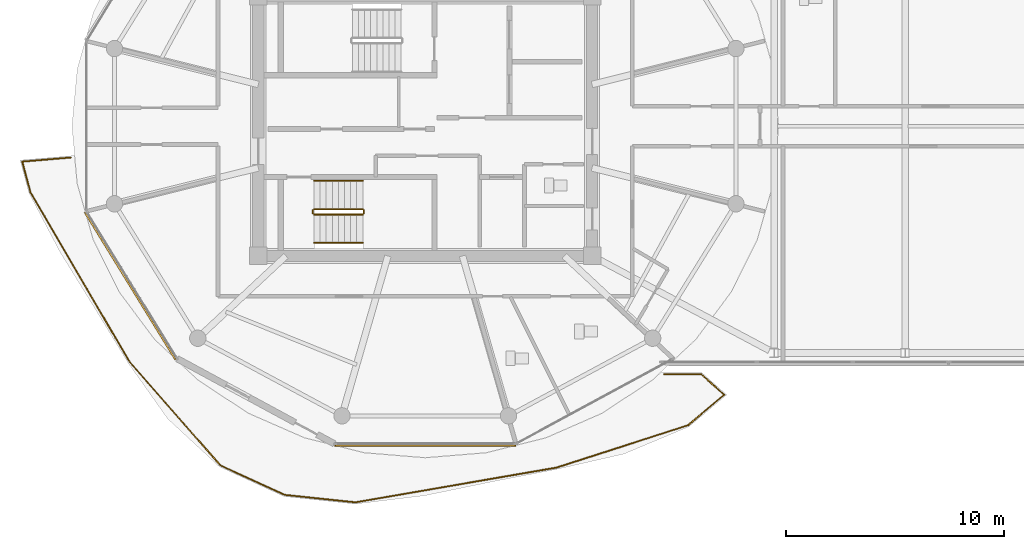
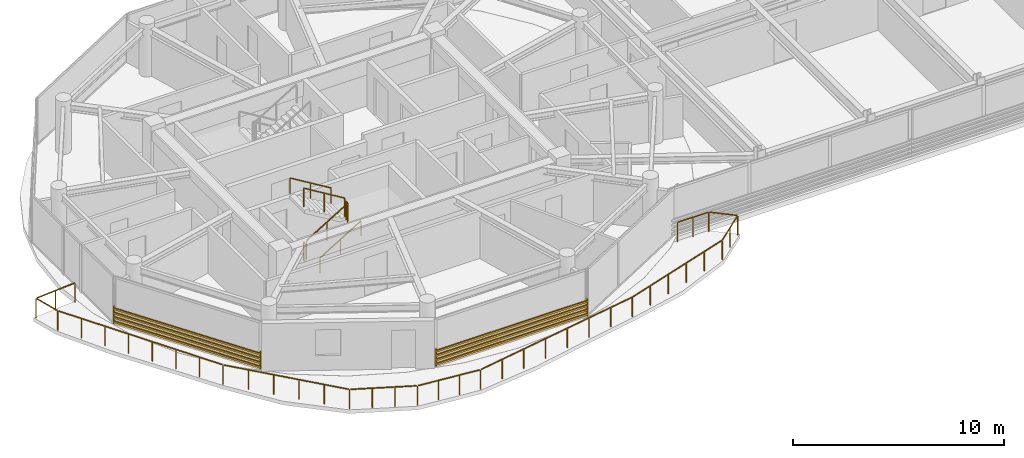
# One storey, part 20 of 24: 8 railings, 2 shading devices.
"""IFC4 building model written with IfcOpenShell, lengths in metres."""

from ifc_helpers import new_model, si_unit, direction, frame, origin, origin_2d, place, context, subcontext, project, spatial, rectangle, extrude, source, transform, mapped, material, type_object, type_shapes, element, save


model = new_model("IFC4")

# Units and contexts
model_context = context("Model", 3, precision=1e-05, world=origin(), true_north=direction((0.0, 1.0)))
body_context = subcontext(model_context, "Body", "Model", "MODEL_VIEW")
ifc_project = project(units=[si_unit("LENGTHUNIT", "METRE"), si_unit("AREAUNIT", "SQUARE_METRE"), si_unit("VOLUMEUNIT", "CUBIC_METRE"), si_unit("PLANEANGLEUNIT", "RADIAN"), si_unit("MASSUNIT", "GRAM", prefix="KILO")], contexts=[model_context])

# Site, building, storey
site_placement = place(None, origin())
site = spatial("IfcSite", under=ifc_project, at=site_placement, CompositionType="ELEMENT")
building_placement = place(site_placement, origin())
building = spatial("IfcBuilding", under=site, at=building_placement, Name="Norrkilde Senior Care Towers", CompositionType="ELEMENT")
storey_placement = place(building_placement, frame((0.0, 0.0, 226.10009765625)))
storey = spatial("IfcBuildingStorey", under=building, at=storey_placement, Name="L70", CompositionType="ELEMENT", Elevation=226.10009765625)

# Railings
ifc_material_1 = material(Name="Anodised Aluminium", Category="aluminium")
railing_type_1 = type_object("IfcRailingType", Name="Balcony Swirl Ribbon Guardrail 1150", PredefinedType="GUARDRAIL", material=ifc_material_1)
railing_1_placement = place(storey_placement, frame((-21.98095703125, -15.654296875, 0.0)))
element("IfcRailing", 1, at=railing_1_placement, inside=storey, type_object=railing_type_1, Name="L70 Perimeter Safety Guard 03", PredefinedType="GUARDRAIL", context=body_context, shape_type="SweptSolid", body=[
    extrude(rectangle(XDim=0.048095703125, YDim=0.048095703125, at=origin_2d()), frame((0.0, 0.0, 1.1259765625), z_axis=(-0.98542198724, -0.170127913831, 0.0), x_axis=(0.170127913831, -0.98542198724, 0.0)), (0.0, 0.0, 1.0), 9.318359375),
    extrude(rectangle(XDim=0.048095703125, YDim=0.048095703125, at=origin_2d()), frame((-9.263671875, -1.587890625, 1.1259765625), z_axis=(-0.994489003728, 0.104840934108, 0.0), x_axis=(-0.104840934108, -0.994489003728, 0.0)), (0.0, 0.0, 1.0), 3.173828125),
    extrude(rectangle(XDim=0.048095703125, YDim=0.048095703125, at=origin_2d()), frame((-12.49755859375, -1.23388671875, 1.1259765625), z_axis=(-0.909001793252, 0.41679220226, 0.0), x_axis=(-0.41679220226, -0.909001793252, 0.0)), (0.0, 0.0, 1.0), 3.15869140625),
    extrude(rectangle(XDim=0.048095703125, YDim=0.048095703125, at=origin_2d()), frame((-15.43310546875, 0.13037109375, 1.1259765625), z_axis=(-0.660098743459, 0.751178839481, 0.0), x_axis=(-0.751178839481, -0.660098743459, 0.0)), (0.0, 0.0, 1.0), 6.2333984375),
    extrude(rectangle(XDim=0.048095703125, YDim=0.048095703125, at=origin_2d()), frame((-19.59521484375, 4.87890625, 1.1259765625), z_axis=(-0.504169108156, 0.863604950415, 0.0), x_axis=(-0.863604950415, -0.504169108156, 0.0)), (0.0, 0.0, 1.0), 8.930908203125),
    extrude(rectangle(XDim=0.048095703125, YDim=0.048095703125, at=origin_2d()), frame((-24.129150390625, 12.66650390625, 1.1259765625), z_axis=(-0.259575788594, 0.965722739701, 0.0), x_axis=(-0.965722739701, -0.259575788594, 0.0)), (0.0, 0.0, 1.0), 1.371337890625),
    extrude(rectangle(XDim=0.048095703125, YDim=0.048095703125, at=origin_2d()), frame((-24.455078125, 14.03369140625, 1.1259765625), z_axis=(0.996529185182, 0.083244117396, 0.0), x_axis=(-0.083244117396, 0.996529185182, 0.0)), (0.0, 0.0, 1.0), 2.19677734375),
    extrude(rectangle(XDim=0.0419921875, YDim=0.0419921875, at=origin_2d()), origin(), (0.0, 0.0, 1.0), 1.099853515625),
    extrude(rectangle(XDim=0.0419921875, YDim=0.0419921875, at=origin_2d()), frame((-1.317626953125, -0.2275390625, 0.0)), (0.0, 0.0, 1.0), 1.099853515625),
    extrude(rectangle(XDim=0.0419921875, YDim=0.0419921875, at=origin_2d()), frame((-2.635009765625, -0.454833984375, 0.0)), (0.0, 0.0, 1.0), 1.099853515625),
    extrude(rectangle(XDim=0.0419921875, YDim=0.0419921875, at=origin_2d()), frame((-3.95263671875, -0.682373046875, 0.0)), (0.0, 0.0, 1.0), 1.099853515625),
    extrude(rectangle(XDim=0.0419921875, YDim=0.0419921875, at=origin_2d()), frame((-5.270263671875, -0.909912109375, 0.0)), (0.0, 0.0, 1.0), 1.099853515625),
    extrude(rectangle(XDim=0.0419921875, YDim=0.0419921875, at=origin_2d()), frame((-6.587890625, -1.137451171875, 0.0)), (0.0, 0.0, 1.0), 1.099853515625),
    extrude(rectangle(XDim=0.0419921875, YDim=0.0419921875, at=origin_2d()), frame((-7.9052734375, -1.36474609375, 0.0)), (0.0, 0.0, 1.0), 1.099853515625),
    extrude(rectangle(XDim=0.0419921875, YDim=0.0419921875, at=origin_2d()), frame((-9.222900390625, -1.59228515625, 0.0)), (0.0, 0.0, 1.0), 1.099853515625),
    extrude(rectangle(XDim=0.0419921875, YDim=0.0419921875, at=origin_2d()), frame((-10.302001953125, -1.478515625, 0.0)), (0.0, 0.0, 1.0), 1.099853515625),
    extrude(rectangle(XDim=0.0419921875, YDim=0.0419921875, at=origin_2d()), frame((-11.38134765625, -1.36474609375, 0.0)), (0.0, 0.0, 1.0), 1.099853515625),
    extrude(rectangle(XDim=0.0419921875, YDim=0.0419921875, at=origin_2d()), frame((-12.46044921875, -1.2509765625, 0.0)), (0.0, 0.0, 1.0), 1.099853515625),
    extrude(rectangle(XDim=0.0419921875, YDim=0.0419921875, at=origin_2d()), frame((-13.4423828125, -0.80078125, 0.0)), (0.0, 0.0, 1.0), 1.099853515625),
    extrude(rectangle(XDim=0.0419921875, YDim=0.0419921875, at=origin_2d()), frame((-14.424072265625, -0.3505859375, 0.0)), (0.0, 0.0, 1.0), 1.099853515625),
    extrude(rectangle(XDim=0.0419921875, YDim=0.0419921875, at=origin_2d()), frame((-15.406005859375, 0.099609375, 0.0)), (0.0, 0.0, 1.0), 1.099853515625),
    extrude(rectangle(XDim=0.0419921875, YDim=0.0419921875, at=origin_2d()), frame((-16.23974609375, 1.04833984375, 0.0)), (0.0, 0.0, 1.0), 1.099853515625),
    extrude(rectangle(XDim=0.0419921875, YDim=0.0419921875, at=origin_2d()), frame((-17.073486328125, 1.9970703125, 0.0)), (0.0, 0.0, 1.0), 1.099853515625),
    extrude(rectangle(XDim=0.0419921875, YDim=0.0419921875, at=origin_2d()), frame((-17.9072265625, 2.946044921875, 0.0)), (0.0, 0.0, 1.0), 1.099853515625),
    extrude(rectangle(XDim=0.0419921875, YDim=0.0419921875, at=origin_2d()), frame((-18.740966796875, 3.894775390625, 0.0)), (0.0, 0.0, 1.0), 1.099853515625),
    extrude(rectangle(XDim=0.0419921875, YDim=0.0419921875, at=origin_2d()), frame((-19.57470703125, 4.843505859375, 0.0)), (0.0, 0.0, 1.0), 1.099853515625),
    extrude(rectangle(XDim=0.0419921875, YDim=0.0419921875, at=origin_2d()), frame((-20.223876953125, 5.955322265625, 0.0)), (0.0, 0.0, 1.0), 1.099853515625),
    extrude(rectangle(XDim=0.0419921875, YDim=0.0419921875, at=origin_2d()), frame((-20.873046875, 7.0673828125, 0.0)), (0.0, 0.0, 1.0), 1.099853515625),
    extrude(rectangle(XDim=0.0419921875, YDim=0.0419921875, at=origin_2d()), frame((-21.522216796875, 8.17919921875, 0.0)), (0.0, 0.0, 1.0), 1.099853515625),
    extrude(rectangle(XDim=0.0419921875, YDim=0.0419921875, at=origin_2d()), frame((-22.171142578125, 9.291259765625, 0.0)), (0.0, 0.0, 1.0), 1.099853515625),
    extrude(rectangle(XDim=0.0419921875, YDim=0.0419921875, at=origin_2d()), frame((-22.8203125, 10.403076171875, 0.0)), (0.0, 0.0, 1.0), 1.099853515625),
    extrude(rectangle(XDim=0.0419921875, YDim=0.0419921875, at=origin_2d()), frame((-23.469482421875, 11.51513671875, 0.0)), (0.0, 0.0, 1.0), 1.099853515625),
    extrude(rectangle(XDim=0.0419921875, YDim=0.0419921875, at=origin_2d()), frame((-24.11865234375, 12.626953125, 0.0)), (0.0, 0.0, 1.0), 1.099853515625),
    extrude(rectangle(XDim=0.0419921875, YDim=0.0419921875, at=origin_2d()), frame((-24.495849609375, 14.0302734375, 0.0)), (0.0, 0.0, 1.0), 1.099853515625),
    extrude(rectangle(XDim=0.0419921875, YDim=0.0419921875, at=origin_2d()), frame((-23.380859375, 14.12353515625, 0.0)), (0.0, 0.0, 1.0), 1.099853515625),
    extrude(rectangle(XDim=0.0419921875, YDim=0.0419921875, at=origin_2d()), frame((-22.265869140625, 14.216552734375, 0.0)), (0.0, 0.0, 1.0), 1.099853515625),
])
railing_2_placement = place(storey_placement, frame((-17.04248046875, -11.3798828125, 0.0)))
element("IfcRailing", 2, at=railing_2_placement, inside=storey, type_object=railing_type_1, Name="L70 Perimeter Safety Guard 04", PredefinedType="GUARDRAIL", context=body_context, shape_type="SweptSolid", body=[
    extrude(rectangle(XDim=0.048095703125, YDim=0.048095703125, at=origin_2d()), frame((0.0, 0.0, 1.1259765625), z_axis=(1.0, 0.0, 0.0), x_axis=(0.0, 1.0, 0.0)), (0.0, 0.0, 1.0), 1.66064453125),
    extrude(rectangle(XDim=0.048095703125, YDim=0.048095703125, at=origin_2d()), frame((1.73193359375, -0.027099609375, 1.1259765625), z_axis=(0.746794896326, -0.665054420948, 0.0), x_axis=(0.665054420948, 0.746794896326, 0.0)), (0.0, 0.0, 1.0), 1.322021484375),
    extrude(rectangle(XDim=0.048095703125, YDim=0.048095703125, at=origin_2d()), frame((2.718505859375, -0.9599609375, 1.1259765625), z_axis=(-0.763963229857, -0.645259779799, 0.0), x_axis=(0.645259779799, -0.763963229857, 0.0)), (0.0, 0.0, 1.0), 2.083984375),
    extrude(rectangle(XDim=0.048095703125, YDim=0.048095703125, at=origin_2d()), frame((1.056396484375, -2.343505859375, 1.1259765625), z_axis=(-0.951846462281, -0.306575133113, 0.0), x_axis=(0.306575133113, -0.951846462281, 0.0)), (0.0, 0.0, 1.0), 6.298095703125),
    extrude(rectangle(XDim=0.0419921875, YDim=0.0419921875, at=origin_2d()), origin(), (0.0, 0.0, 1.0), 1.099853515625),
    extrude(rectangle(XDim=0.0419921875, YDim=0.0419921875, at=origin_2d()), frame((0.8505859375, 0.0, 0.0)), (0.0, 0.0, 1.0), 1.099853515625),
    extrude(rectangle(XDim=0.0419921875, YDim=0.0419921875, at=origin_2d()), frame((1.701416015625, 0.0, 0.0)), (0.0, 0.0, 1.0), 1.099853515625),
    extrude(rectangle(XDim=0.0419921875, YDim=0.0419921875, at=origin_2d()), frame((2.749755859375, -0.93359375, 0.0)), (0.0, 0.0, 1.0), 1.099853515625),
    extrude(rectangle(XDim=0.0419921875, YDim=0.0419921875, at=origin_2d()), frame((1.92236328125, -1.63232421875, 0.0)), (0.0, 0.0, 1.0), 1.099853515625),
    extrude(rectangle(XDim=0.0419921875, YDim=0.0419921875, at=origin_2d()), frame((1.09521484375, -2.3310546875, 0.0)), (0.0, 0.0, 1.0), 1.099853515625),
    extrude(rectangle(XDim=0.0419921875, YDim=0.0419921875, at=origin_2d()), frame((-0.111572265625, -2.7197265625, 0.0)), (0.0, 0.0, 1.0), 1.099853515625),
    extrude(rectangle(XDim=0.0419921875, YDim=0.0419921875, at=origin_2d()), frame((-1.318359375, -3.1083984375, 0.0)), (0.0, 0.0, 1.0), 1.099853515625),
    extrude(rectangle(XDim=0.0419921875, YDim=0.0419921875, at=origin_2d()), frame((-2.52490234375, -3.4970703125, 0.0)), (0.0, 0.0, 1.0), 1.099853515625),
    extrude(rectangle(XDim=0.0419921875, YDim=0.0419921875, at=origin_2d()), frame((-3.731689453125, -3.8857421875, 0.0)), (0.0, 0.0, 1.0), 1.099853515625),
    extrude(rectangle(XDim=0.0419921875, YDim=0.0419921875, at=origin_2d()), frame((-4.9384765625, -4.2744140625, 0.0)), (0.0, 0.0, 1.0), 1.099853515625),
])
ifc_material_2 = material(Name="Stainless Steel", Category="steel")
railing_type_2 = type_object("IfcRailingType", Name="Stair and Terrace Guardrail 1100", PredefinedType="GUARDRAIL", material=ifc_material_2)
railing_3_placement = place(storey_placement, frame((-33.10009765625, -4.050048828125, 0.16943359375)))
element("IfcRailing", 3, at=railing_3_placement, inside=storey, type_object=railing_type_2, Name="L70 ST-W2 stair guard 1", PredefinedType="GUARDRAIL", context=body_context, shape_type="SweptSolid", body=[
    extrude(rectangle(XDim=0.048095703125, YDim=0.048095703125, at=origin_2d()), frame((0.0, 0.0, 1.076171875), z_axis=(0.855553338991, 0.0, 0.51771467445), x_axis=(0.0, 1.0, 0.0)), (0.0, 0.0, 1.0), 2.6181640625),
    extrude(rectangle(XDim=0.0419921875, YDim=0.0419921875, at=origin_2d()), origin(), (0.0, 0.0, 1.0), 1.050048828125),
    extrude(rectangle(XDim=0.0419921875, YDim=0.0419921875, at=origin_2d()), frame((1.1201171875, 0.0, 0.677734375)), (0.0, 0.0, 1.0), 1.050048828125),
    extrude(rectangle(XDim=0.0419921875, YDim=0.0419921875, at=origin_2d()), frame((2.239990234375, 0.0, 1.35546875)), (0.0, 0.0, 1.0), 1.050048828125),
])
railing_4_placement = place(storey_placement, frame((-30.81005859375, -4.0, 1.52490234375)))
element("IfcRailing", 4, at=railing_4_placement, inside=storey, type_object=railing_type_2, Name="L70 ST-W2 stair guard 2", PredefinedType="GUARDRAIL", context=body_context, shape_type="SweptSolid", body=[
    extrude(rectangle(XDim=0.048095703125, YDim=0.048095703125, at=origin_2d()), frame((0.0, 0.0, 1.076171875), z_axis=(0.0, 1.0, 0.0), x_axis=(-1.0, 0.0, 0.0)), (0.0, 0.0, 1.0), 0.14990234375),
    extrude(rectangle(XDim=0.0419921875, YDim=0.0419921875, at=origin_2d()), origin(), (0.0, 0.0, 1.0), 1.050048828125),
    extrude(rectangle(XDim=0.0419921875, YDim=0.0419921875, at=origin_2d()), frame((0.0, 0.14990234375, 0.0)), (0.0, 0.0, 1.0), 1.050048828125),
])
railing_5_placement = place(storey_placement, frame((-30.860107421875, -3.800048828125, 1.6943359375)))
element("IfcRailing", 5, at=railing_5_placement, inside=storey, type_object=railing_type_2, Name="L70 ST-W2 stair guard 3", PredefinedType="GUARDRAIL", context=body_context, shape_type="SweptSolid", body=[
    extrude(rectangle(XDim=0.048095703125, YDim=0.048095703125, at=origin_2d()), frame((0.0, 0.0, 1.076171875), z_axis=(-0.855553338991, 0.0, 0.51771467445), x_axis=(0.0, -1.0, 0.0)), (0.0, 0.0, 1.0), 2.6181640625),
    extrude(rectangle(XDim=0.0419921875, YDim=0.0419921875, at=origin_2d()), origin(), (0.0, 0.0, 1.0), 1.050048828125),
    extrude(rectangle(XDim=0.0419921875, YDim=0.0419921875, at=origin_2d()), frame((-1.1201171875, 0.0, 0.677734375)), (0.0, 0.0, 1.0), 1.050048828125),
    extrude(rectangle(XDim=0.0419921875, YDim=0.0419921875, at=origin_2d()), frame((-2.239990234375, 0.0, 1.35546875)), (0.0, 0.0, 1.0), 1.050048828125),
])
railing_6_placement = place(storey_placement, frame((-33.14990234375, -4.0, 0.0)))
element("IfcRailing", 6, at=railing_6_placement, inside=storey, type_object=railing_type_2, Name="L70 ST-W2 stair guard 4", PredefinedType="GUARDRAIL", context=body_context, shape_type="SweptSolid", body=[
    extrude(rectangle(XDim=0.048095703125, YDim=0.048095703125, at=origin_2d()), frame((0.0, 0.0, 1.076171875), z_axis=(0.0, 1.0, 0.0), x_axis=(-1.0, 0.0, 0.0)), (0.0, 0.0, 1.0), 0.14990234375),
    extrude(rectangle(XDim=0.0419921875, YDim=0.0419921875, at=origin_2d()), origin(), (0.0, 0.0, 1.0), 1.050048828125),
    extrude(rectangle(XDim=0.0419921875, YDim=0.0419921875, at=origin_2d()), frame((0.0, 0.14990234375, 0.0)), (0.0, 0.0, 1.0), 1.050048828125),
])
ifc_material_3 = material(Name="Nordic Ash Timber", Category="wood")
railing_type_3 = type_object("IfcRailingType", Name="Wall and Stair Handrail 900", PredefinedType="HANDRAIL", material=ifc_material_3)
railing_7_placement = place(storey_placement, frame((-33.10009765625, -5.35009765625, 0.16943359375)))
element("IfcRailing", 7, at=railing_7_placement, inside=storey, type_object=railing_type_3, Name="L70 ST-W2 stair handrail 1", PredefinedType="HANDRAIL", context=body_context, shape_type="SweptSolid", body=[
    extrude(rectangle(XDim=0.048095703125, YDim=0.048095703125, at=origin_2d()), frame((0.0, 0.0, 0.8759765625), z_axis=(0.855553338991, 0.0, 0.51771467445), x_axis=(0.0, 1.0, 0.0)), (0.0, 0.0, 1.0), 2.6181640625),
    extrude(rectangle(XDim=0.0419921875, YDim=0.0419921875, at=origin_2d()), origin(), (0.0, 0.0, 1.0), 0.849853515625),
    extrude(rectangle(XDim=0.0419921875, YDim=0.0419921875, at=origin_2d()), frame((1.1201171875, 0.0, 0.677734375)), (0.0, 0.0, 1.0), 0.849853515625),
    extrude(rectangle(XDim=0.0419921875, YDim=0.0419921875, at=origin_2d()), frame((2.239990234375, 0.0, 1.35546875)), (0.0, 0.0, 1.0), 0.849853515625),
])
railing_8_placement = place(storey_placement, frame((-30.860107421875, -2.5, 1.6943359375)))
element("IfcRailing", 8, at=railing_8_placement, inside=storey, type_object=railing_type_3, Name="L70 ST-W2 stair handrail 2", PredefinedType="HANDRAIL", context=body_context, shape_type="SweptSolid", body=[
    extrude(rectangle(XDim=0.048095703125, YDim=0.048095703125, at=origin_2d()), frame((0.0, 0.0, 0.8759765625), z_axis=(-0.855553338991, 0.0, 0.51771467445), x_axis=(0.0, -1.0, 0.0)), (0.0, 0.0, 1.0), 2.6181640625),
    extrude(rectangle(XDim=0.0419921875, YDim=0.0419921875, at=origin_2d()), origin(), (0.0, 0.0, 1.0), 0.849853515625),
    extrude(rectangle(XDim=0.0419921875, YDim=0.0419921875, at=origin_2d()), frame((-1.1201171875, 0.0, 0.677734375)), (0.0, 0.0, 1.0), 0.849853515625),
    extrude(rectangle(XDim=0.0419921875, YDim=0.0419921875, at=origin_2d()), frame((-2.239990234375, 0.0, 1.35546875)), (0.0, 0.0, 1.0), 0.849853515625),
])

# Shading devices
ifc_material_4 = material(Name="Architectural Terracotta", Category="masonry")
shading_device_type = type_object("IfcShadingDeviceType", Name="Horizontal Terracotta Baguette Rack", PredefinedType="USERDEFINED", material=ifc_material_4)
shared_shape_1 = source(origin(), body_context, "Body", "SweptSolid", [
    extrude(rectangle(XDim=0.070068359375, YDim=0.110107421875, at=origin_2d()), frame((0.0, 0.090087890625, 0.125), z_axis=(1.0, 0.0, 0.0), x_axis=(0.0, 1.0, 0.0)), (0.0, 0.0, 1.0), 7.938232421875),
    extrude(rectangle(XDim=0.070068359375, YDim=0.110107421875, at=origin_2d()), frame((0.0, 0.090087890625, 0.375), z_axis=(1.0, 0.0, 0.0), x_axis=(0.0, 1.0, 0.0)), (0.0, 0.0, 1.0), 7.938232421875),
    extrude(rectangle(XDim=0.070068359375, YDim=0.110107421875, at=origin_2d()), frame((0.0, 0.090087890625, 0.625), z_axis=(1.0, 0.0, 0.0), x_axis=(0.0, 1.0, 0.0)), (0.0, 0.0, 1.0), 7.938232421875),
    extrude(rectangle(XDim=0.070068359375, YDim=0.110107421875, at=origin_2d()), frame((0.0, 0.090087890625, 0.875), z_axis=(1.0, 0.0, 0.0), x_axis=(0.0, 1.0, 0.0)), (0.0, 0.0, 1.0), 7.938232421875),
    extrude(rectangle(XDim=0.050048828125, YDim=0.1552734375, at=origin_2d()), frame((0.02490234375, 0.047607421875, 0.0)), (0.0, 0.0, 1.0), 1.0),
    extrude(rectangle(XDim=0.050048828125, YDim=0.1552734375, at=origin_2d()), frame((7.9130859375, 0.047607421875, 0.0)), (0.0, 0.0, 1.0), 1.0),
])
shading_device_1_placement = place(storey_placement, frame((-39.370361328125, -10.6630859375, 0.079833984375), z_axis=(0.0, 0.0, 1.0), x_axis=(-0.524250345994, 0.851576195602, 0.0)))
element("IfcShadingDevice", 9, at=shading_device_1_placement, inside=storey, type_object=shading_device_type, Name="L70 Drum W Terracotta Baguette Screen 06", ObjectType="BAGUETTE", PredefinedType="USERDEFINED", context=body_context, shape_type="MappedRepresentation", body=[
    mapped(shared_shape_1, transform((0.0, 0.0, 0.0), x_axis=(1.0, 0.0, 0.0), y_axis=(0.0, 1.0, 0.0), z_axis=(0.0, 0.0, 1.0), scale=1.0)),
])
shared_shape_2 = source(origin(), body_context, "Body", "SweptSolid", [
    extrude(rectangle(XDim=0.070068359375, YDim=0.110107421875, at=origin_2d()), frame((0.0, 0.090087890625, 0.125), z_axis=(1.0, 0.0, 0.0), x_axis=(0.0, 1.0, 0.0)), (0.0, 0.0, 1.0), 8.32373046875),
    extrude(rectangle(XDim=0.070068359375, YDim=0.110107421875, at=origin_2d()), frame((0.0, 0.090087890625, 0.375), z_axis=(1.0, 0.0, 0.0), x_axis=(0.0, 1.0, 0.0)), (0.0, 0.0, 1.0), 8.32373046875),
    extrude(rectangle(XDim=0.070068359375, YDim=0.110107421875, at=origin_2d()), frame((0.0, 0.090087890625, 0.625), z_axis=(1.0, 0.0, 0.0), x_axis=(0.0, 1.0, 0.0)), (0.0, 0.0, 1.0), 8.32373046875),
    extrude(rectangle(XDim=0.070068359375, YDim=0.110107421875, at=origin_2d()), frame((0.0, 0.090087890625, 0.875), z_axis=(1.0, 0.0, 0.0), x_axis=(0.0, 1.0, 0.0)), (0.0, 0.0, 1.0), 8.32373046875),
    extrude(rectangle(XDim=0.050048828125, YDim=0.1552734375, at=origin_2d()), frame((0.02490234375, 0.047607421875, 0.0)), (0.0, 0.0, 1.0), 1.0),
    extrude(rectangle(XDim=0.050048828125, YDim=0.1552734375, at=origin_2d()), frame((8.298828125, 0.047607421875, 0.0)), (0.0, 0.0, 1.0), 1.0),
])
type_shapes(shading_device_type, [shared_shape_1, shared_shape_2])
shading_device_2_placement = place(storey_placement, frame((-23.838134765625, -14.566162109375, 0.079833984375), z_axis=(0.0, 0.0, 1.0), x_axis=(-1.0, 0.0, 0.0)))
element("IfcShadingDevice", 10, at=shading_device_2_placement, inside=storey, type_object=shading_device_type, Name="L70 Drum W Terracotta Baguette Screen 08", ObjectType="BAGUETTE", PredefinedType="USERDEFINED", context=body_context, shape_type="MappedRepresentation", body=[
    mapped(shared_shape_2, transform((0.0, 0.0, 0.0), x_axis=(1.0, 0.0, 0.0), y_axis=(0.0, 1.0, 0.0), z_axis=(0.0, 0.0, 1.0), scale=1.0)),
])

save(model, "model.ifc")
